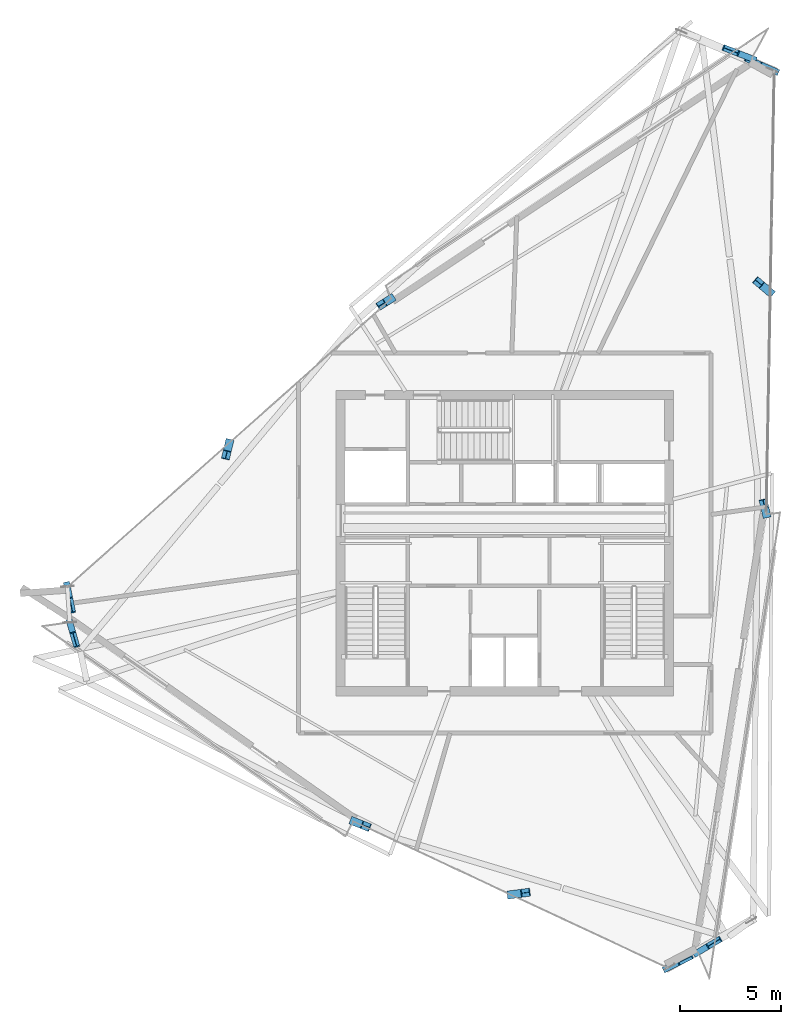
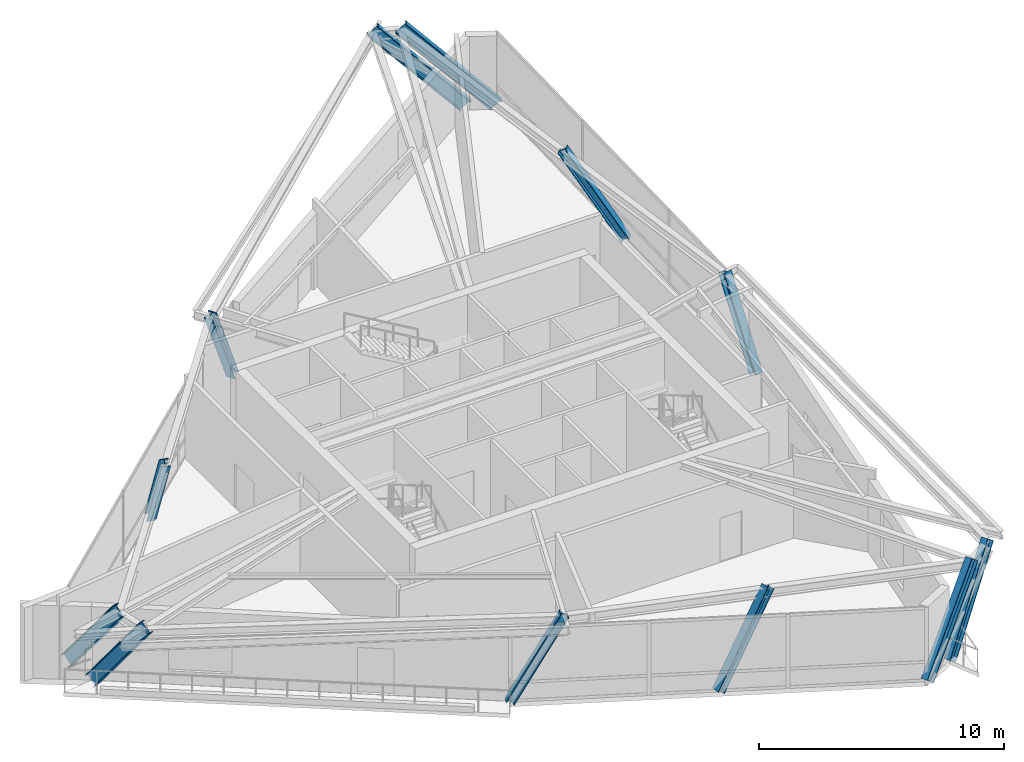
# One storey, part 1 of 22: 12 columns.
"""IFC4 building model written with IfcOpenShell, lengths in metres."""

from ifc_helpers import new_model, si_unit, direction, frame, origin, origin_2d, place, context, subcontext, project, spatial, i_section, extrude, source, transform, mapped, material, material_profile, profile_set, type_object, element, save


model = new_model("IFC4")

# Units and contexts
model_context = context("Model", 3, precision=1e-05, world=origin(), true_north=direction((0.0, 1.0)))
body_context = subcontext(model_context, "Body", "Model", "MODEL_VIEW")
ifc_project = project(units=[si_unit("LENGTHUNIT", "METRE"), si_unit("AREAUNIT", "SQUARE_METRE"), si_unit("VOLUMEUNIT", "CUBIC_METRE"), si_unit("PLANEANGLEUNIT", "RADIAN"), si_unit("MASSUNIT", "GRAM", prefix="KILO")], contexts=[model_context])

# Site, building, storey
site_placement = place(None, origin())
site = spatial("IfcSite", under=ifc_project, at=site_placement, CompositionType="ELEMENT")
building_placement = place(site_placement, origin())
building = spatial("IfcBuilding", under=site, at=building_placement, Name="Olszyna Solenne Hotel", CompositionType="ELEMENT")
storey_placement = place(building_placement, frame((0.0, 0.0, 286.10009765625)))
storey = spatial("IfcBuildingStorey", under=building, at=storey_placement, Name="L76", CompositionType="ELEMENT", Elevation=286.10009765625)

# Columns
ifc_material_1 = material(Name="Steel S460M", Category="steel")
ifc_material_profile_1 = material_profile(ifc_material_1, i_section(OverallWidth=0.304931640625, OverallDepth=0.6201171875, WebThickness=0.02099609375, FlangeThickness=0.0400390625, at=origin_2d()), Name="HEM 600", Category="load-bearing")
ifc_profile_set_1 = profile_set([ifc_material_profile_1], Name="Steel S460M")
column_type_1 = type_object("IfcColumnType", Name="COL-K3", PredefinedType="COLUMN", material=ifc_profile_set_1)
shared_shape_1 = source(origin(), body_context, "Body", "SweptSolid", [
    extrude(i_section(OverallWidth=0.304931640625, OverallDepth=0.6201171875, WebThickness=0.02099609375, FlangeThickness=0.0400390625, at=origin_2d()), origin(), (0.0, 0.0, 1.0), 5.705078125),
])
column_1_placement = place(storey_placement, frame((51.325439453125, 49.95166015625, 0.0), z_axis=(-0.630132763972, 0.27858501144, 0.724791757107), x_axis=(-0.404351160465, -0.914603815338, 0.0)))
element("IfcColumn", 1, at=column_1_placement, inside=storey, type_object=column_type_1, Name="Perimeter framed-tube column COL-K3 C-L76-01", PredefinedType="COLUMN", context=body_context, shape_type="MappedRepresentation", body=[
    mapped(shared_shape_1, transform((0.0, 0.0, 0.0), x_axis=(1.0, 0.0, 0.0), y_axis=(0.0, 1.0, 0.0), z_axis=(0.0, 0.0, 1.0), scale=1.0)),
])
shared_shape_2 = source(origin(), body_context, "Body", "SweptSolid", [
    extrude(i_section(OverallWidth=0.304931640625, OverallDepth=0.6201171875, WebThickness=0.02099609375, FlangeThickness=0.0400390625, at=origin_2d()), origin(), (0.0, 0.0, 1.0), 5.64208984375),
])
column_2_placement = place(storey_placement, frame((50.21630859375, 50.5576171875, 0.0), z_axis=(-0.634270773304, 0.246127176869, 0.732886075007), x_axis=(-0.361764793743, -0.93226939991, 0.0)))
element("IfcColumn", 2, at=column_2_placement, inside=storey, type_object=column_type_1, Name="Perimeter framed-tube column COL-K3 C-L76-02", PredefinedType="COLUMN", context=body_context, shape_type="MappedRepresentation", body=[
    mapped(shared_shape_2, transform((0.0, 0.0, 0.0), x_axis=(1.0, 0.0, 0.0), y_axis=(0.0, 1.0, 0.0), z_axis=(0.0, 0.0, 1.0), scale=1.0)),
])
ifc_material_2 = material(Name="Steel S355J2", Category="steel")
ifc_material_profile_2 = material_profile(ifc_material_2, i_section(OverallWidth=0.39794921875, OverallDepth=0.386962890625, WebThickness=0.0185546875, FlangeThickness=0.029052734375, at=origin_2d()), Name="HD 400x262", Category="load-bearing")
ifc_profile_set_2 = profile_set([ifc_material_profile_2], Name="Steel S355J2")
column_type_2 = type_object("IfcColumnType", Name="COL-T6", PredefinedType="COLUMN", material=ifc_profile_set_2)
shared_shape_3 = source(origin(), body_context, "Body", "SweptSolid", [
    extrude(i_section(OverallWidth=0.39794921875, OverallDepth=0.386962890625, WebThickness=0.0185546875, FlangeThickness=0.029052734375, at=origin_2d()), origin(), (0.0, 0.0, 1.0), 4.562255859375),
])
column_3_placement = place(storey_placement, frame((32.376220703125, 38.68701171875, 0.0), z_axis=(-0.358650833306, -0.223313925304, 0.90636663141), x_axis=(0.528563619327, -0.848893692004, 0.0)))
element("IfcColumn", 3, at=column_3_placement, inside=storey, type_object=column_type_2, Name="Perimeter framed-tube column COL-T6 C-L76-03", PredefinedType="COLUMN", context=body_context, shape_type="MappedRepresentation", body=[
    mapped(shared_shape_3, transform((0.0, 0.0, 0.0), x_axis=(1.0, 0.0, 0.0), y_axis=(0.0, 1.0, 0.0), z_axis=(0.0, 0.0, 1.0), scale=1.0)),
])
shared_shape_4 = source(origin(), body_context, "Body", "SweptSolid", [
    extrude(i_section(OverallWidth=0.39794921875, OverallDepth=0.386962890625, WebThickness=0.0185546875, FlangeThickness=0.029052734375, at=origin_2d()), origin(), (0.0, 0.0, 1.0), 4.655029296875),
])
column_4_placement = place(storey_placement, frame((24.372802734375, 31.564208984375, 0.0), z_axis=(-0.108142364501, -0.446415037164, 0.88826732665), x_axis=(0.971889702975, -0.235436626825, 0.0)))
element("IfcColumn", 4, at=column_4_placement, inside=storey, type_object=column_type_2, Name="Perimeter framed-tube column COL-T6 C-L76-04", PredefinedType="COLUMN", context=body_context, shape_type="MappedRepresentation", body=[
    mapped(shared_shape_4, transform((0.0, 0.0, 0.0), x_axis=(1.0, 0.0, 0.0), y_axis=(0.0, 1.0, 0.0), z_axis=(0.0, 0.0, 1.0), scale=1.0)),
])
shared_shape_5 = source(origin(), body_context, "Body", "SweptSolid", [
    extrude(i_section(OverallWidth=0.304931640625, OverallDepth=0.6201171875, WebThickness=0.02099609375, FlangeThickness=0.0400390625, at=origin_2d()), origin(), (0.0, 0.0, 1.0), 5.228271484375),
])
column_5_placement = place(storey_placement, frame((16.368896484375, 24.441162109375, 0.0), z_axis=(0.120474601347, -0.599991532056, 0.790883070935), x_axis=(0.980430716793, 0.196864444651, 0.0)))
element("IfcColumn", 5, at=column_5_placement, inside=storey, type_object=column_type_1, Name="Perimeter framed-tube column COL-K3 C-L76-05", PredefinedType="COLUMN", context=body_context, shape_type="MappedRepresentation", body=[
    mapped(shared_shape_5, transform((0.0, 0.0, 0.0), x_axis=(1.0, 0.0, 0.0), y_axis=(0.0, 1.0, 0.0), z_axis=(0.0, 0.0, 1.0), scale=1.0)),
])
shared_shape_6 = source(origin(), body_context, "Body", "SweptSolid", [
    extrude(i_section(OverallWidth=0.304931640625, OverallDepth=0.6201171875, WebThickness=0.02099609375, FlangeThickness=0.0400390625, at=origin_2d()), origin(), (0.0, 0.0, 1.0), 5.1611328125),
])
column_6_placement = place(storey_placement, frame((16.485107421875, 22.693359375, 0.0), z_axis=(0.165134400152, -0.575203181279, 0.801169102083), x_axis=(0.96117418541, 0.275942358657, 0.0)))
element("IfcColumn", 6, at=column_6_placement, inside=storey, type_object=column_type_1, Name="Perimeter framed-tube column COL-K3 C-L76-06", PredefinedType="COLUMN", context=body_context, shape_type="MappedRepresentation", body=[
    mapped(shared_shape_6, transform((0.0, 0.0, 0.0), x_axis=(1.0, 0.0, 0.0), y_axis=(0.0, 1.0, 0.0), z_axis=(0.0, 0.0, 1.0), scale=1.0)),
])
shared_shape_7 = source(origin(), body_context, "Body", "SweptSolid", [
    extrude(i_section(OverallWidth=0.39794921875, OverallDepth=0.386962890625, WebThickness=0.0185546875, FlangeThickness=0.029052734375, at=origin_2d()), origin(), (0.0, 0.0, 1.0), 4.712646484375),
])
column_7_placement = place(storey_placement, frame((30.518310546875, 12.842529296875, 0.0), z_axis=(0.446241604847, -0.176134369222, 0.877408179858), x_axis=(0.367141948921, 0.930164925883, 0.0)))
element("IfcColumn", 7, at=column_7_placement, inside=storey, type_object=column_type_2, Name="Perimeter framed-tube column COL-T6 C-L76-07", PredefinedType="COLUMN", context=body_context, shape_type="MappedRepresentation", body=[
    mapped(shared_shape_7, transform((0.0, 0.0, 0.0), x_axis=(1.0, 0.0, 0.0), y_axis=(0.0, 1.0, 0.0), z_axis=(0.0, 0.0, 1.0), scale=1.0)),
])
shared_shape_8 = source(origin(), body_context, "Body", "SweptSolid", [
    extrude(i_section(OverallWidth=0.39794921875, OverallDepth=0.386962890625, WebThickness=0.0185546875, FlangeThickness=0.029052734375, at=origin_2d()), origin(), (0.0, 0.0, 1.0), 4.86083984375),
])
column_8_placement = place(storey_placement, frame((38.285888671875, 9.215576171875, 0.0), z_axis=(0.521153916332, 0.068710346718, 0.850692355523), x_axis=(-0.130711561405, 0.991420439428, 0.0)))
element("IfcColumn", 8, at=column_8_placement, inside=storey, type_object=column_type_2, Name="Perimeter framed-tube column COL-T6 C-L76-08", PredefinedType="COLUMN", context=body_context, shape_type="MappedRepresentation", body=[
    mapped(shared_shape_8, transform((0.0, 0.0, 0.0), x_axis=(1.0, 0.0, 0.0), y_axis=(0.0, 1.0, 0.0), z_axis=(0.0, 0.0, 1.0), scale=1.0)),
])
shared_shape_9 = source(origin(), body_context, "Body", "SweptSolid", [
    extrude(i_section(OverallWidth=0.304931640625, OverallDepth=0.6201171875, WebThickness=0.02099609375, FlangeThickness=0.0400390625, at=origin_2d()), origin(), (0.0, 0.0, 1.0), 5.30322265625),
])
column_9_placement = place(storey_placement, frame((46.0537109375, 5.588623046875, 0.0), z_axis=(0.558750446217, 0.282528754094, 0.779727799916), x_axis=(-0.451238365441, 0.892403461196, 0.0)))
element("IfcColumn", 9, at=column_9_placement, inside=storey, type_object=column_type_1, Name="Perimeter framed-tube column COL-K3 C-L76-09", PredefinedType="COLUMN", context=body_context, shape_type="MappedRepresentation", body=[
    mapped(shared_shape_9, transform((0.0, 0.0, 0.0), x_axis=(1.0, 0.0, 0.0), y_axis=(0.0, 1.0, 0.0), z_axis=(0.0, 0.0, 1.0), scale=1.0)),
])
shared_shape_10 = source(origin(), body_context, "Body", "SweptSolid", [
    extrude(i_section(OverallWidth=0.304931640625, OverallDepth=0.6201171875, WebThickness=0.02099609375, FlangeThickness=0.0400390625, at=origin_2d()), origin(), (0.0, 0.0, 1.0), 5.215087890625),
])
column_10_placement = place(storey_placement, frame((47.55029296875, 6.36767578125, 0.0), z_axis=(0.523187937414, 0.312433455109, 0.792880645667), x_axis=(-0.512709660243, 0.858562056169, 0.0)))
element("IfcColumn", 10, at=column_10_placement, inside=storey, type_object=column_type_1, Name="Perimeter framed-tube column COL-K3 C-L76-10", PredefinedType="COLUMN", context=body_context, shape_type="MappedRepresentation", body=[
    mapped(shared_shape_10, transform((0.0, 0.0, 0.0), x_axis=(1.0, 0.0, 0.0), y_axis=(0.0, 1.0, 0.0), z_axis=(0.0, 0.0, 1.0), scale=1.0)),
])
shared_shape_11 = source(origin(), body_context, "Body", "SweptSolid", [
    extrude(i_section(OverallWidth=0.39794921875, OverallDepth=0.386962890625, WebThickness=0.0185546875, FlangeThickness=0.029052734375, at=origin_2d()), origin(), (0.0, 0.0, 1.0), 4.540771484375),
])
column_11_placement = place(storey_placement, frame((50.932373046875, 28.0302734375, 0.0), z_axis=(-0.094735020085, 0.402220593223, 0.910628283306), x_axis=(-0.973365952515, -0.229256891904, 0.0)))
element("IfcColumn", 11, at=column_11_placement, inside=storey, type_object=column_type_2, Name="Perimeter framed-tube column COL-T6 C-L76-11", PredefinedType="COLUMN", context=body_context, shape_type="MappedRepresentation", body=[
    mapped(shared_shape_11, transform((0.0, 0.0, 0.0), x_axis=(1.0, 0.0, 0.0), y_axis=(0.0, 1.0, 0.0), z_axis=(0.0, 0.0, 1.0), scale=1.0)),
])
shared_shape_12 = source(origin(), body_context, "Body", "SweptSolid", [
    extrude(i_section(OverallWidth=0.39794921875, OverallDepth=0.386962890625, WebThickness=0.0185546875, FlangeThickness=0.029052734375, at=origin_2d()), origin(), (0.0, 0.0, 1.0), 4.90576171875),
])
column_12_placement = place(storey_placement, frame((51.12890625, 38.990966796875, 0.0), z_axis=(-0.410278483219, 0.348119600936, 0.842902313232), x_axis=(-0.64698233698, -0.762504987286, 0.0)))
element("IfcColumn", 12, at=column_12_placement, inside=storey, type_object=column_type_2, Name="Perimeter framed-tube column COL-T6 C-L76-12", PredefinedType="COLUMN", context=body_context, shape_type="MappedRepresentation", body=[
    mapped(shared_shape_12, transform((0.0, 0.0, 0.0), x_axis=(1.0, 0.0, 0.0), y_axis=(0.0, 1.0, 0.0), z_axis=(0.0, 0.0, 1.0), scale=1.0)),
])

save(model, "model.ifc")
